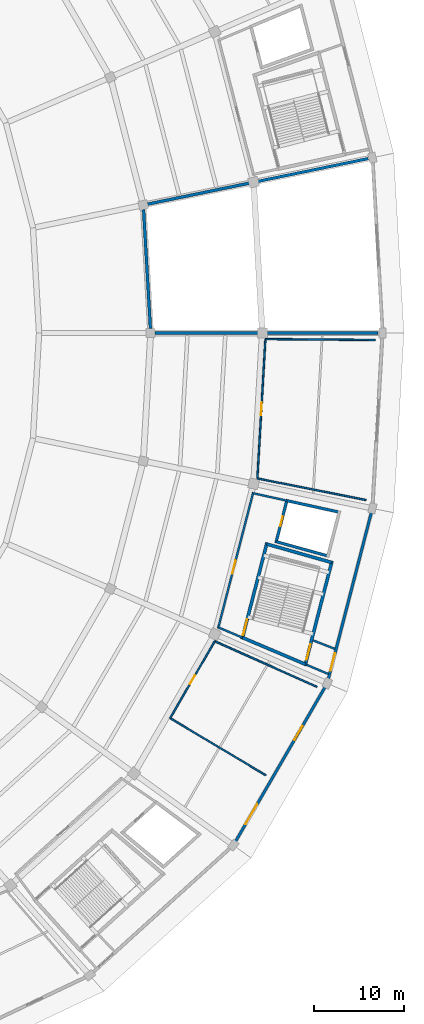
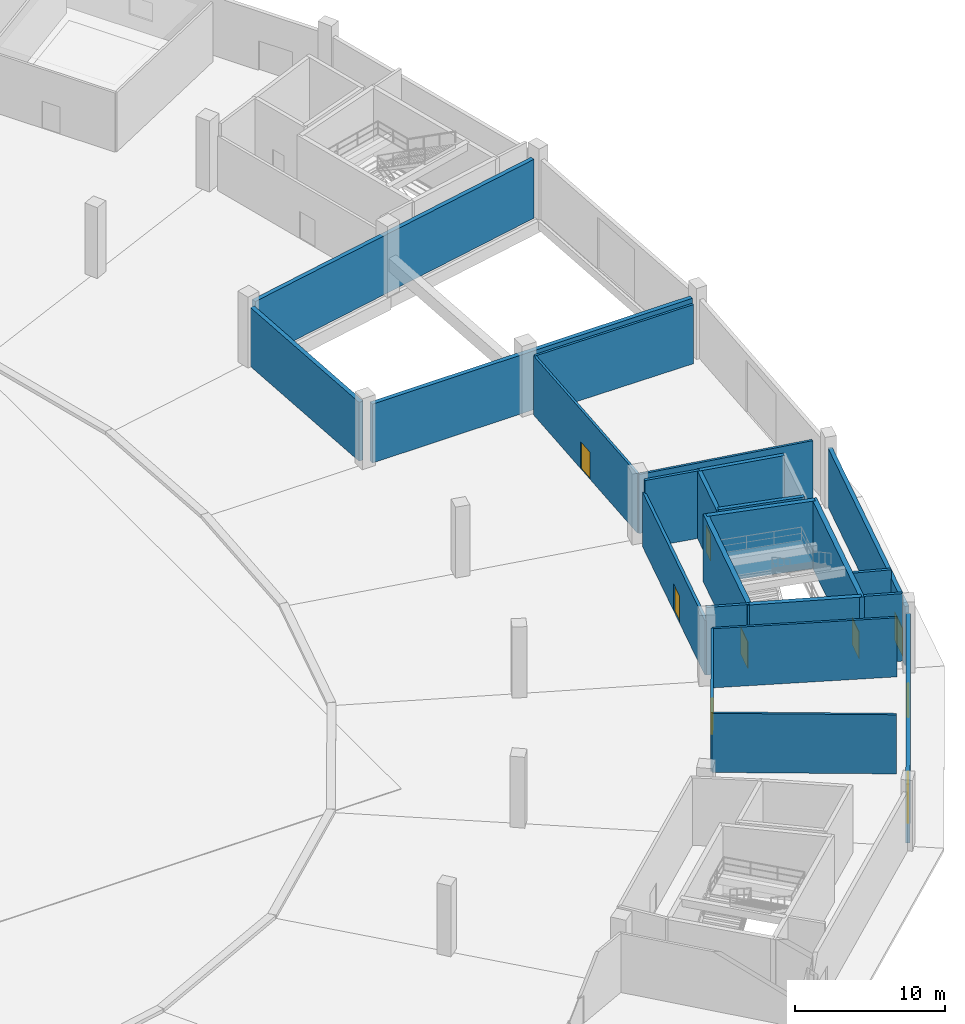
# One storey, part 14 of 48: 23 walls, 8 doors, 1 window, 9 openings.
"""IFC4 building model written with IfcOpenShell, lengths in metres."""

from ifc_helpers import new_model, si_unit, direction, frame, frame_2d, origin, place, context, subcontext, project, spatial, rectangle, extrude, material, layer, layer_set, type_object, element, fill, save


model = new_model("IFC4")

# Units and contexts
model_context = context("Model", 3, precision=1e-05, world=origin(), true_north=direction((0.0, 1.0)))
body_context = subcontext(model_context, "Body", "Model", "MODEL_VIEW")
ifc_project = project(units=[si_unit("LENGTHUNIT", "METRE"), si_unit("AREAUNIT", "SQUARE_METRE"), si_unit("VOLUMEUNIT", "CUBIC_METRE"), si_unit("PLANEANGLEUNIT", "RADIAN"), si_unit("MASSUNIT", "GRAM", prefix="KILO")], contexts=[model_context])

# Site, building, storey
site_placement = place(None, origin())
site = spatial("IfcSite", under=ifc_project, at=site_placement, CompositionType="ELEMENT")
building_placement = place(site_placement, origin())
building = spatial("IfcBuilding", under=site, at=building_placement, Name="Kazemori Nagisa Stadium", CompositionType="ELEMENT")
storey_placement = place(building_placement, origin())
storey = spatial("IfcBuildingStorey", under=building, at=storey_placement, Name="L00", CompositionType="ELEMENT", Elevation=0.0)

# Wall, opening, door
ifc_material_1 = material(Name="Concrete C40/50 (Fc42)", Category="concrete")
ifc_layer_1 = layer(ifc_material_1, 0.35009765625, Name="Concrete C40/50 (Fc42)", Category="concrete")
ifc_layer_set_1 = layer_set([ifc_layer_1], Name="Concrete C40/50 (Fc42)")
wall_type_1 = type_object("IfcWallType", Name="Wall_W-CORE-350", PredefinedType="SHEAR", material=ifc_layer_set_1)
wall_1_placement = place(storey_placement, frame((202.46435546875, 68.129150390625, 0.0), z_axis=(0.0, 0.0, 1.0), x_axis=(0.249959564539, 0.968256276042, 0.0)))
wall_1 = element("IfcWall", 1, at=wall_1_placement, inside=storey, type_object=wall_type_1, Name="Core stair front shear wall ST10 L00", PredefinedType="SHEAR", context=body_context, shape_type="SweptSolid", body=[
    extrude(rectangle(XDim=11.046630859375, YDim=0.35009765625, at=frame_2d((5.5234375, 0.0))), origin(), (0.0, 0.0, 1.0), 5.5),
])
opening_1_placement = place(wall_1_placement, frame((0.47509765625, 0.0, 0.0)))
opening_1 = element("IfcOpeningElement", 2, at=opening_1_placement, cuts=wall_1, Name="Opening D-ST-1800", PredefinedType="OPENING", context=body_context, shape_type="SweptSolid", body=[
    extrude(rectangle(XDim=1.800048828125, YDim=2.199951171875, at=frame_2d((0.89990234375, 1.10009765625))), frame((0.0, 0.18505859375, 0.0), z_axis=(0.0, -1.0, 0.0), x_axis=(1.0, 0.0, 0.0)), (0.0, 0.0, 1.0), 0.3701171875),
])
ifc_material_2 = material(Name="Galvanised steel sheet", Category="steel")
door_type_1 = type_object("IfcDoorType", Name="Door_D-ST-1800", OperationType="NOTDEFINED", PredefinedType="DOOR", material=ifc_material_2)
door_1_placement = place(opening_1_placement, origin())
door_1 = element("IfcDoor", 3, at=door_1_placement, inside=storey, type_object=door_type_1, Name="Exit stair fire door ST10-L00", OperationType="SINGLE_SWING_LEFT", OverallHeight=2.199951171875, OverallWidth=1.800048828125, PredefinedType="DOOR", context=body_context, shape_type="SweptSolid", body=[
    extrude(rectangle(XDim=1.800048828125, YDim=2.199951171875, at=frame_2d((0.89990234375, 1.10009765625))), frame((0.0, 0.02490234375, 0.0), z_axis=(0.0, -1.0, 0.0), x_axis=(1.0, 0.0, 0.0)), (0.0, 0.0, 1.0), 0.050048828125),
])
fill(opening_1, door_1)

wall_2_placement = place(storey_placement, frame((209.4169921875, 65.18212890625, 0.0), z_axis=(0.0, 0.0, 1.0), x_axis=(0.249969221583, 0.968253782983, 0.0)))
wall_2 = element("IfcWall", 4, at=wall_2_placement, inside=storey, type_object=wall_type_1, Name="Core stair rear shear wall ST10 L00", PredefinedType="SHEAR", context=body_context, shape_type="SweptSolid", body=[
    extrude(rectangle(XDim=11.98193359375, YDim=0.35009765625, at=frame_2d((5.990966796875, 0.0))), origin(), (0.0, 0.0, 1.0), 5.5),
])
opening_2_placement = place(wall_2_placement, frame((0.672119140625, 0.0, 0.0)))
opening_2 = element("IfcOpeningElement", 5, at=opening_2_placement, cuts=wall_2, Name="Opening D-ST-1800", PredefinedType="OPENING", context=body_context, shape_type="SweptSolid", body=[
    extrude(rectangle(XDim=1.800048828125, YDim=2.199951171875, at=frame_2d((0.89990234375, 1.10009765625))), frame((0.0, 0.18505859375, 0.0), z_axis=(0.0, -1.0, 0.0), x_axis=(1.0, 0.0, 0.0)), (0.0, 0.0, 1.0), 0.3701171875),
])
door_2_placement = place(opening_2_placement, frame((1.800048828125, 0.0, 0.0), z_axis=(0.0, 0.0, 1.0), x_axis=(-1.0, 0.0, 0.0)))
door_2 = element("IfcDoor", 6, at=door_2_placement, inside=storey, type_object=door_type_1, Name="Exit stair discharge door ST10-L00", OperationType="DOUBLE_DOOR_SINGLE_SWING", OverallHeight=2.199951171875, OverallWidth=1.800048828125, PredefinedType="DOOR", context=body_context, shape_type="SweptSolid", body=[
    extrude(rectangle(XDim=1.800048828125, YDim=2.199951171875, at=frame_2d((0.89990234375, 1.10009765625))), frame((0.0, 0.02490234375, 0.0), z_axis=(0.0, -1.0, 0.0), x_axis=(1.0, 0.0, 0.0)), (0.0, 0.0, 1.0), 0.050048828125),
])
fill(opening_2, door_2)

# Walls
wall_3_placement = place(storey_placement, frame((202.508056640625, 68.298583984375, 0.0), z_axis=(0.0, 0.0, 1.0), x_axis=(0.920704667209, -0.390260061728, 0.0)))
element("IfcWall", 7, at=wall_3_placement, inside=storey, type_object=wall_type_1, Name="Core stair left shear wall ST10 L00", PredefinedType="SHEAR", context=body_context, shape_type="SweptSolid", body=[
    extrude(rectangle(XDim=7.551513671875, YDim=0.35009765625, at=frame_2d((3.77587890625, 0.0))), origin(), (0.0, 0.0, 1.0), 5.5),
])
wall_4_placement = place(storey_placement, frame((205.181884765625, 78.655517578125, 0.0), z_axis=(0.0, 0.0, 1.0), x_axis=(0.961945802461, -0.273240321195, 0.0)))
element("IfcWall", 8, at=wall_4_placement, inside=storey, type_object=wall_type_1, Name="Core stair right shear wall ST10 L00", PredefinedType="SHEAR", context=body_context, shape_type="SweptSolid", body=[
    extrude(rectangle(XDim=7.470458984375, YDim=0.35009765625, at=frame_2d((3.7353515625, 0.0))), origin(), (0.0, 0.0, 1.0), 5.5),
])

# Wall, openings, door, window
ifc_material_3 = material(Name="Concrete C40/50 (Fc42) precast", Category="concrete")
ifc_layer_2 = layer(ifc_material_3, 0.300048828125, Name="Concrete C40/50 (Fc42) precast", Category="concrete")
ifc_layer_set_2 = layer_set([ifc_layer_2], Name="Concrete C40/50 (Fc42) precast")
wall_type_2 = type_object("IfcWallType", Name="Wall_W-EXT-300", PredefinedType="SOLIDWALL", material=ifc_layer_set_2)
wall_5_placement = place(storey_placement, frame((201.69091796875, 45.669677734375, 0.0), z_axis=(0.0, 0.0, 1.0), x_axis=(0.501609752715, 0.865094015689, 0.0)))
wall_5 = element("IfcWall", 9, at=wall_5_placement, inside=storey, type_object=wall_type_2, Name="Ground exterior entrance wall L00-26", PredefinedType="SOLIDWALL", context=body_context, shape_type="SweptSolid", body=[
    extrude(rectangle(XDim=19.932373046875, YDim=0.300048828125, at=frame_2d((9.96630859375, 0.0))), origin(), (0.0, 0.0, 1.0), 4.800048828125),
])
opening_3_placement = place(wall_5_placement, frame((2.2880859375, 0.0, 0.0)))
opening_3 = element("IfcOpeningElement", 10, at=opening_3_placement, cuts=wall_5, Name="Opening D-GATE-2600", PredefinedType="OPENING", context=body_context, shape_type="SweptSolid", body=[
    extrude(rectangle(XDim=2.60009765625, YDim=2.39990234375, at=frame_2d((1.300048828125, 1.199951171875))), frame((0.0, 0.159912109375, 0.0), z_axis=(0.0, -1.0, 0.0), x_axis=(1.0, 0.0, 0.0)), (0.0, 0.0, 1.0), 0.320068359375),
])
opening_4_placement = place(wall_5_placement, frame((13.052978515625, 0.0, 1.10009765625)))
opening_4 = element("IfcOpeningElement", 11, at=opening_4_placement, cuts=wall_5, Name="Opening WIN-L00-1800", PredefinedType="OPENING", context=body_context, shape_type="SweptSolid", body=[
    extrude(rectangle(XDim=1.800048828125, YDim=1.5, at=frame_2d((0.89990234375, 0.75))), frame((0.0, 0.159912109375, 0.0), z_axis=(0.0, -1.0, 0.0), x_axis=(1.0, 0.0, 0.0)), (0.0, 0.0, 1.0), 0.320068359375),
])
ifc_material_4 = material(Name="Anodised aluminium 6063-T5", Category="aluminium")
door_type_2 = type_object("IfcDoorType", Name="Door_D-GATE-2600", OperationType="NOTDEFINED", PredefinedType="DOOR", material=ifc_material_4)
door_3_placement = place(opening_3_placement, frame((2.60009765625, 0.0, 0.0), z_axis=(0.0, 0.0, 1.0), x_axis=(-1.0, 0.0, 0.0)))
door_3 = element("IfcDoor", 12, at=door_3_placement, inside=storey, type_object=door_type_2, Name="Pedestrian exit gate G8", OperationType="DOUBLE_DOOR_SINGLE_SWING", OverallHeight=2.39990234375, OverallWidth=2.60009765625, PredefinedType="DOOR", context=body_context, shape_type="SweptSolid", body=[
    extrude(rectangle(XDim=2.60009765625, YDim=2.39990234375, at=frame_2d((1.300048828125, 1.199951171875))), frame((0.0, 0.02490234375, 0.0), z_axis=(0.0, -1.0, 0.0), x_axis=(1.0, 0.0, 0.0)), (0.0, 0.0, 1.0), 0.050048828125),
])
fill(opening_3, door_3)
ifc_material_5 = material(Name="Low-e laminated double glazing", Category="glass")
window_type = type_object("IfcWindowType", Name="Window_WIN-L00-1800", PartitioningType="SINGLE_PANEL", PredefinedType="WINDOW", material=ifc_material_5)
window_placement = place(opening_4_placement, origin())
window = element("IfcWindow", 13, at=window_placement, inside=storey, type_object=window_type, Name="Ground room window L00-26", OverallHeight=1.5, OverallWidth=1.800048828125, PartitioningType="SINGLE_PANEL", PredefinedType="WINDOW", context=body_context, shape_type="SweptSolid", body=[
    extrude(rectangle(XDim=1.800048828125, YDim=1.5, at=frame_2d((0.89990234375, 0.75))), frame((0.0, 0.030029296875, 0.0), z_axis=(0.0, -1.0, 0.0), x_axis=(1.0, 0.0, 0.0)), (0.0, 0.0, 1.0), 0.06005859375),
])
fill(opening_4, window)

# Wall, opening, door
wall_6_placement = place(storey_placement, frame((211.982421875, 63.628173828125, 0.0), z_axis=(0.0, 0.0, 1.0), x_axis=(0.249961059007, 0.968255890238, 0.0)))
wall_6 = element("IfcWall", 14, at=wall_6_placement, inside=storey, type_object=wall_type_2, Name="Core exterior wall L00-27", PredefinedType="SOLIDWALL", context=body_context, shape_type="SweptSolid", body=[
    extrude(rectangle(XDim=19.2060546875, YDim=0.300048828125, at=frame_2d((9.60302734375, 0.0))), origin(), (0.0, 0.0, 1.0), 4.800048828125),
])
opening_5_placement = place(wall_6_placement, frame((1.050048828125, 0.0, 0.0)))
opening_5 = element("IfcOpeningElement", 15, at=opening_5_placement, cuts=wall_6, Name="Opening D-SD-2000", PredefinedType="OPENING", context=body_context, shape_type="SweptSolid", body=[
    extrude(rectangle(XDim=2.0, YDim=2.300048828125, at=frame_2d((1.0, 1.14990234375))), frame((0.0, 0.159912109375, 0.0), z_axis=(0.0, -1.0, 0.0), x_axis=(1.0, 0.0, 0.0)), (0.0, 0.0, 1.0), 0.320068359375),
])
door_type_3 = type_object("IfcDoorType", Name="Door_D-SD-2000", OperationType="NOTDEFINED", PredefinedType="DOOR", material=ifc_material_2)
door_4_placement = place(opening_5_placement, frame((2.0, 0.0, 0.0), z_axis=(0.0, 0.0, 1.0), x_axis=(-1.0, 0.0, 0.0)))
door_4 = element("IfcDoor", 16, at=door_4_placement, inside=storey, type_object=door_type_3, Name="Pedestrian stair exit SD10", OperationType="DOUBLE_DOOR_SINGLE_SWING", OverallHeight=2.300048828125, OverallWidth=2.0, PredefinedType="DOOR", context=body_context, shape_type="SweptSolid", body=[
    extrude(rectangle(XDim=2.0, YDim=2.300048828125, at=frame_2d((1.0, 1.14990234375))), frame((0.0, 0.02490234375, 0.0), z_axis=(0.0, -1.0, 0.0), x_axis=(1.0, 0.0, 0.0)), (0.0, 0.0, 1.0), 0.050048828125),
])
fill(opening_5, door_4)

# Walls
ifc_material_6 = material(Name="Concrete C36/45 (Fc36)", Category="concrete")
ifc_layer_3 = layer(ifc_material_6, 0.219970703125, Name="Concrete C36/45 (Fc36)", Category="concrete")
ifc_layer_set_3 = layer_set([ifc_layer_3], Name="Concrete C36/45 (Fc36)")
wall_type_3 = type_object("IfcWallType", Name="Wall_W-LOBBY-220", PredefinedType="SOLIDWALL", material=ifc_layer_set_3)
wall_7_placement = place(storey_placement, frame((209.603515625, 65.291015625, 0.0), z_axis=(0.0, 0.0, 1.0), x_axis=(0.920690413134, -0.390293688346, 0.0)))
element("IfcWall", 17, at=wall_7_placement, inside=storey, type_object=wall_type_3, Name="Exit passage left fire wall ST10 L00", PredefinedType="SOLIDWALL", context=body_context, shape_type="SweptSolid", body=[
    extrude(rectangle(XDim=2.619140625, YDim=0.219970703125, at=frame_2d((1.3095703125, 0.0))), origin(), (0.0, 0.0, 1.0), 5.5),
])
wall_8_placement = place(storey_placement, frame((210.3037109375, 68.00146484375, 0.0), z_axis=(0.0, 0.0, 1.0), x_axis=(0.931846465899, -0.362852813123, 0.0)))
element("IfcWall", 18, at=wall_8_placement, inside=storey, type_object=wall_type_3, Name="Exit passage right fire wall ST10 L00", PredefinedType="SOLIDWALL", context=body_context, shape_type="SweptSolid", body=[
    extrude(rectangle(XDim=2.60791015625, YDim=0.219970703125, at=frame_2d((1.303955078125, 0.0))), origin(), (0.0, 0.0, 1.0), 5.5),
])

# Wall, opening, door
wall_9_placement = place(storey_placement, frame((199.806640625, 69.325439453125, 0.0), z_axis=(0.0, 0.0, 1.0), x_axis=(0.249963472505, 0.968255267176, 0.0)))
wall_9 = element("IfcWall", 19, at=wall_9_placement, inside=storey, type_object=wall_type_3, Name="Core lobby fire wall ST10 L00", PredefinedType="SOLIDWALL", context=body_context, shape_type="SweptSolid", body=[
    extrude(rectangle(XDim=15.552978515625, YDim=0.219970703125, at=frame_2d((7.7763671875, 0.0))), origin(), (0.0, 0.0, 1.0), 4.447998046875),
])
opening_6_placement = place(wall_9_placement, frame((6.260009765625, 0.0, 0.0)))
opening_6 = element("IfcOpeningElement", 20, at=opening_6_placement, cuts=wall_9, Name="Opening D-FFL-1500", PredefinedType="OPENING", context=body_context, shape_type="SweptSolid", body=[
    extrude(rectangle(XDim=1.5, YDim=2.199951171875, at=frame_2d((0.75, 1.10009765625))), frame((0.0, 0.119873046875, 0.0), z_axis=(0.0, -1.0, 0.0), x_axis=(1.0, 0.0, 0.0)), (0.0, 0.0, 1.0), 0.239990234375),
])
door_type_4 = type_object("IfcDoorType", Name="Door_D-FFL-1500", OperationType="NOTDEFINED", PredefinedType="DOOR", material=ifc_material_2)
door_5_placement = place(opening_6_placement, origin())
door_5 = element("IfcDoor", 21, at=door_5_placement, inside=storey, type_object=door_type_4, Name="Protected lobby fire door ST10-L00", OperationType="DOUBLE_DOOR_SINGLE_SWING", OverallHeight=2.199951171875, OverallWidth=1.5, PredefinedType="DOOR", context=body_context, shape_type="SweptSolid", body=[
    extrude(rectangle(XDim=1.5, YDim=2.199951171875, at=frame_2d((0.75, 1.10009765625))), frame((0.0, 0.02490234375, 0.0), z_axis=(0.0, -1.0, 0.0), x_axis=(1.0, 0.0, 0.0)), (0.0, 0.0, 1.0), 0.050048828125),
])
fill(opening_6, door_5)

# Walls
wall_10_placement = place(storey_placement, frame((199.834228515625, 69.431884765625, 0.0), z_axis=(0.0, 0.0, 1.0), x_axis=(0.920711790761, -0.390243255361, 0.0)))
element("IfcWall", 22, at=wall_10_placement, inside=storey, type_object=wall_type_3, Name="Core lobby left wall ST10 L00", PredefinedType="SOLIDWALL", context=body_context, shape_type="SweptSolid", body=[
    extrude(rectangle(XDim=2.904052734375, YDim=0.219970703125, at=frame_2d((1.4521484375, 0.0))), origin(), (0.0, 0.0, 1.0), 5.5),
])
wall_11_placement = place(storey_placement, frame((203.666748046875, 84.2783203125, 0.0), z_axis=(0.0, 0.0, 1.0), x_axis=(0.976714725209, -0.214542176645, 0.0)))
element("IfcWall", 23, at=wall_11_placement, inside=storey, type_object=wall_type_3, Name="Core lobby right wall ST10 L00", PredefinedType="SOLIDWALL", context=body_context, shape_type="SweptSolid", body=[
    extrude(rectangle(XDim=3.832763671875, YDim=0.219970703125, at=frame_2d((1.91650390625, 0.0))), origin(), (0.0, 0.0, 1.0), 5.5),
])

# Wall, opening, door
ifc_material_7 = material(Name="Gypsum plasterboard", Category="gypsum")
ifc_layer_4 = layer(ifc_material_7, 0.179931640625, Name="Gypsum plasterboard", Category="gypsum")
ifc_layer_set_4 = layer_set([ifc_layer_4], Name="Gypsum plasterboard")
wall_type_4 = type_object("IfcWallType", Name="Wall_W-PART-180", PredefinedType="PARTITIONING", material=ifc_layer_set_4)
wall_12_placement = place(storey_placement, frame((194.50048828125, 59.386474609375, 0.0), z_axis=(0.0, 0.0, 1.0), x_axis=(0.501605234592, 0.865096635429, 0.0)))
wall_12 = element("IfcWall", 24, at=wall_12_placement, inside=storey, type_object=wall_type_4, Name="Media Accreditation Office L00-26 corridor partition L00-B26", PredefinedType="PARTITIONING", context=body_context, shape_type="SweptSolid", body=[
    extrude(rectangle(XDim=9.842529296875, YDim=0.179931640625, at=frame_2d((4.92138671875, 0.0))), origin(), (0.0, 0.0, 1.0), 4.820068359375),
])
opening_7_placement = place(wall_12_placement, frame((4.381103515625, 0.0, 0.0)))
opening_7 = element("IfcOpeningElement", 25, at=opening_7_placement, cuts=wall_12, Name="Opening D-SEC-1080", PredefinedType="OPENING", context=body_context, shape_type="SweptSolid", body=[
    extrude(rectangle(XDim=1.080078125, YDim=2.14990234375, at=frame_2d((0.5400390625, 1.074951171875))), frame((0.0, 0.099853515625, 0.0), z_axis=(0.0, -1.0, 0.0), x_axis=(1.0, 0.0, 0.0)), (0.0, 0.0, 1.0), 0.199951171875),
])
door_type_5 = type_object("IfcDoorType", Name="Door_D-SEC-1080", OperationType="NOTDEFINED", PredefinedType="DOOR", material=ifc_material_2)
door_6_placement = place(opening_7_placement, origin())
door_6 = element("IfcDoor", 26, at=door_6_placement, inside=storey, type_object=door_type_5, Name="Media Accreditation Office L00-26 entrance door D-SEC-1080", OperationType="SINGLE_SWING_LEFT", OverallHeight=2.14990234375, OverallWidth=1.080078125, PredefinedType="DOOR", context=body_context, shape_type="SweptSolid", body=[
    extrude(rectangle(XDim=1.080078125, YDim=2.14990234375, at=frame_2d((0.5400390625, 1.074951171875))), frame((0.0, 0.02490234375, 0.0), z_axis=(0.0, -1.0, 0.0), x_axis=(1.0, 0.0, 0.0)), (0.0, 0.0, 1.0), 0.050048828125),
])
fill(opening_7, door_6)

# Walls
wall_13_placement = place(storey_placement, frame((194.50048828125, 59.386474609375, 0.0), z_axis=(0.0, 0.0, 1.0), x_axis=(0.859002064999, -0.511972120654, 0.0)))
element("IfcWall", 27, at=wall_13_placement, inside=storey, type_object=wall_type_4, Name="Room radial partition L00-B26-L", PredefinedType="PARTITIONING", context=body_context, shape_type="SweptSolid", body=[
    extrude(rectangle(XDim=12.331298828125, YDim=0.179931640625, at=frame_2d((6.16552734375, 0.0))), origin(), (0.0, 0.0, 1.0), 4.820068359375),
])
wall_14_placement = place(storey_placement, frame((199.4375, 67.901123046875, 0.0), z_axis=(0.0, 0.0, 1.0), x_axis=(0.913245562849, -0.407409550621, 0.0)))
element("IfcWall", 28, at=wall_14_placement, inside=storey, type_object=wall_type_4, Name="Room radial partition L00-B26-R", PredefinedType="PARTITIONING", context=body_context, shape_type="SweptSolid", body=[
    extrude(rectangle(XDim=12.399658203125, YDim=0.179931640625, at=frame_2d((6.19970703125, 0.0))), origin(), (0.0, 0.0, 1.0), 4.820068359375),
])

# Wall, opening, door
wall_15_placement = place(storey_placement, frame((204.151611328125, 85.910888671875, 0.0), z_axis=(0.0, 0.0, 1.0), x_axis=(0.057603503798, 0.998339539611, 0.0)))
wall_15 = element("IfcWall", 29, at=wall_15_placement, inside=storey, type_object=wall_type_4, Name="Loading Bay L00-28 corridor partition L00-B28", PredefinedType="PARTITIONING", context=body_context, shape_type="SweptSolid", body=[
    extrude(rectangle(XDim=15.4443359375, YDim=0.179931640625, at=frame_2d((7.72216796875, 0.0))), origin(), (0.0, 0.0, 1.0), 4.820068359375),
])
opening_8_placement = place(wall_15_placement, frame((7.02197265625, 0.0, 0.0)))
opening_8 = element("IfcOpeningElement", 30, at=opening_8_placement, cuts=wall_15, Name="Opening D-PL-1400", PredefinedType="OPENING", context=body_context, shape_type="SweptSolid", body=[
    extrude(rectangle(XDim=1.39990234375, YDim=2.199951171875, at=frame_2d((0.699951171875, 1.10009765625))), frame((0.0, 0.099853515625, 0.0), z_axis=(0.0, -1.0, 0.0), x_axis=(1.0, 0.0, 0.0)), (0.0, 0.0, 1.0), 0.199951171875),
])
door_type_6 = type_object("IfcDoorType", Name="Door_D-PL-1400", OperationType="NOTDEFINED", PredefinedType="DOOR", material=ifc_material_2)
door_7_placement = place(opening_8_placement, origin())
door_7 = element("IfcDoor", 31, at=door_7_placement, inside=storey, type_object=door_type_6, Name="Loading Bay L00-28 entrance door D-PL-1400", OperationType="SINGLE_SWING_RIGHT", OverallHeight=2.199951171875, OverallWidth=1.39990234375, PredefinedType="DOOR", context=body_context, shape_type="SweptSolid", body=[
    extrude(rectangle(XDim=1.39990234375, YDim=2.199951171875, at=frame_2d((0.699951171875, 1.10009765625))), frame((0.0, 0.02490234375, 0.0), z_axis=(0.0, -1.0, 0.0), x_axis=(1.0, 0.0, 0.0)), (0.0, 0.0, 1.0), 0.050048828125),
])
fill(opening_8, door_7)

# Walls
wall_16_placement = place(storey_placement, frame((204.151611328125, 85.910888671875, 0.0), z_axis=(0.0, 0.0, 1.0), x_axis=(0.980904167784, -0.194491680088, 0.0)))
element("IfcWall", 32, at=wall_16_placement, inside=storey, type_object=wall_type_4, Name="Room radial partition L00-B28-L", PredefinedType="PARTITIONING", context=body_context, shape_type="SweptSolid", body=[
    extrude(rectangle(XDim=12.256591796875, YDim=0.179931640625, at=frame_2d((6.12841796875, 0.0))), origin(), (0.0, 0.0, 1.0), 4.820068359375),
])
wall_17_placement = place(storey_placement, frame((205.041259765625, 101.32958984375, 0.0), z_axis=(0.0, 0.0, 1.0), x_axis=(0.999966583768, -0.008175044183, 0.0)))
element("IfcWall", 33, at=wall_17_placement, inside=storey, type_object=wall_type_4, Name="Room radial partition L00-B28-R", PredefinedType="PARTITIONING", context=body_context, shape_type="SweptSolid", body=[
    extrude(rectangle(XDim=12.15478515625, YDim=0.179931640625, at=frame_2d((6.077392578125, 0.0))), origin(), (0.0, 0.0, 1.0), 4.820068359375),
])
ifc_layer_5 = layer(ifc_material_1, 0.324951171875, Name="Concrete C40/50 (Fc42)", Category="concrete")
ifc_layer_set_5 = layer_set([ifc_layer_5], Name="Concrete C40/50 (Fc42)")
wall_type_5 = type_object("IfcWallType", Name="Wall_W-RAMP-325", PredefinedType="SHEAR", material=ifc_layer_set_5)
wall_18_placement = place(storey_placement, frame((192.322265625, 102.479248046875, 0.0), z_axis=(0.0, 0.0, 1.0), x_axis=(-0.057601843043, 0.998339635434, 0.0)))
element("IfcWall", 34, at=wall_18_placement, inside=storey, type_object=wall_type_5, Name="Vehicle ramp portal head wall L00", PredefinedType="SHEAR", context=body_context, shape_type="SweptSolid", body=[
    extrude(rectangle(XDim=13.223876953125, YDim=0.324951171875, at=frame_2d((6.61181640625, 0.0))), origin(), (0.0, 0.0, 1.0), 4.800048828125),
])
wall_19_placement = place(storey_placement, frame((192.830078125, 102.0, 0.0), z_axis=(0.0, 0.0, 1.0), x_axis=(1.0, 0.0, 0.0)))
element("IfcWall", 35, at=wall_19_placement, inside=storey, type_object=wall_type_5, Name="Vehicle ramp left enclosure wall L00", PredefinedType="SHEAR", context=body_context, shape_type="SweptSolid", body=[
    extrude(rectangle(XDim=24.68994140625, YDim=0.324951171875, at=frame_2d((12.344970703125, 0.0))), origin(), (0.0, 0.0, 1.0), 4.800048828125),
])
wall_20_placement = place(storey_placement, frame((192.003173828125, 116.25732421875, 0.0), z_axis=(0.0, 0.0, 1.0), x_axis=(0.979312995501, 0.202351320337, 0.0)))
element("IfcWall", 36, at=wall_20_placement, inside=storey, type_object=wall_type_5, Name="Vehicle ramp right enclosure wall L00", PredefinedType="SHEAR", context=body_context, shape_type="SweptSolid", body=[
    extrude(rectangle(XDim=24.923095703125, YDim=0.324951171875, at=frame_2d((12.46142578125, 0.0))), origin(), (0.0, 0.0, 1.0), 4.800048828125),
])

# Wall, opening, door
ifc_layer_6 = layer(ifc_material_1, 0.300048828125, Name="Concrete C40/50 (Fc42)", Category="concrete")
ifc_layer_set_6 = layer_set([ifc_layer_6], Name="Concrete C40/50 (Fc42)")
wall_type_6 = type_object("IfcWallType", Name="Wall_W-SHAFT-300", PredefinedType="SHEAR", material=ifc_layer_set_6)
wall_21_placement = place(storey_placement, frame((206.200927734375, 78.772216796875, 0.0), z_axis=(0.0, 0.0, 1.0), x_axis=(0.249946120621, 0.968259746549, 0.0)))
wall_21 = element("IfcWall", 37, at=wall_21_placement, inside=storey, type_object=wall_type_6, Name="Lift shaft front wall LP8 L00", PredefinedType="SHEAR", context=body_context, shape_type="SweptSolid", body=[
    extrude(rectangle(XDim=4.9873046875, YDim=0.300048828125, at=frame_2d((2.49365234375, 0.0))), origin(), (0.0, 0.0, 1.0), 5.5),
])
opening_9_placement = place(wall_21_placement, frame((1.944091796875, 0.0, 0.0)))
opening_9 = element("IfcOpeningElement", 38, at=opening_9_placement, cuts=wall_21, Name="Opening LD-PAX", PredefinedType="OPENING", context=body_context, shape_type="SweptSolid", body=[
    extrude(rectangle(XDim=1.10009765625, YDim=2.199951171875, at=frame_2d((0.550048828125, 1.10009765625))), frame((0.0, 0.159912109375, 0.0), z_axis=(0.0, -1.0, 0.0), x_axis=(1.0, 0.0, 0.0)), (0.0, 0.0, 1.0), 0.320068359375),
])
ifc_material_8 = material(Name="Stainless steel SUS304", Category="steel")
door_type_7 = type_object("IfcDoorType", Name="Door_LD-PAX", OperationType="SLIDING_TO_RIGHT", PredefinedType="DOOR", material=ifc_material_8)
door_8_placement = place(opening_9_placement, origin())
door_8 = element("IfcDoor", 39, at=door_8_placement, inside=storey, type_object=door_type_7, Name="Lift landing door LP8-L00", OperationType="SLIDING_TO_RIGHT", OverallHeight=2.199951171875, OverallWidth=1.10009765625, PredefinedType="DOOR", context=body_context, shape_type="SweptSolid", body=[
    extrude(rectangle(XDim=1.10009765625, YDim=2.199951171875, at=frame_2d((0.550048828125, 1.10009765625))), frame((0.0, 0.02490234375, 0.0), z_axis=(0.0, -1.0, 0.0), x_axis=(1.0, 0.0, 0.0)), (0.0, 0.0, 1.0), 0.050048828125),
])
fill(opening_9, door_8)

# Walls
wall_22_placement = place(storey_placement, frame((206.238525390625, 78.91748046875, 0.0), z_axis=(0.0, 0.0, 1.0), x_axis=(0.963642107639, -0.267196348002, 0.0)))
element("IfcWall", 40, at=wall_22_placement, inside=storey, type_object=wall_type_6, Name="Lift shaft L wall LP8 L00", PredefinedType="SHEAR", context=body_context, shape_type="SweptSolid", body=[
    extrude(rectangle(XDim=5.937255859375, YDim=0.300048828125, at=frame_2d((2.96875, 0.0))), origin(), (0.0, 0.0, 1.0), 5.5),
])
wall_23_placement = place(storey_placement, frame((207.41015625, 83.4560546875, 0.0), z_axis=(0.0, 0.0, 1.0), x_axis=(0.976707381947, -0.214575604509, 0.0)))
element("IfcWall", 41, at=wall_23_placement, inside=storey, type_object=wall_type_6, Name="Lift shaft R wall LP8 L00", PredefinedType="SHEAR", context=body_context, shape_type="SweptSolid", body=[
    extrude(rectangle(XDim=5.9404296875, YDim=0.300048828125, at=frame_2d((2.97021484375, 0.0))), origin(), (0.0, 0.0, 1.0), 5.5),
])

save(model, "model.ifc")
